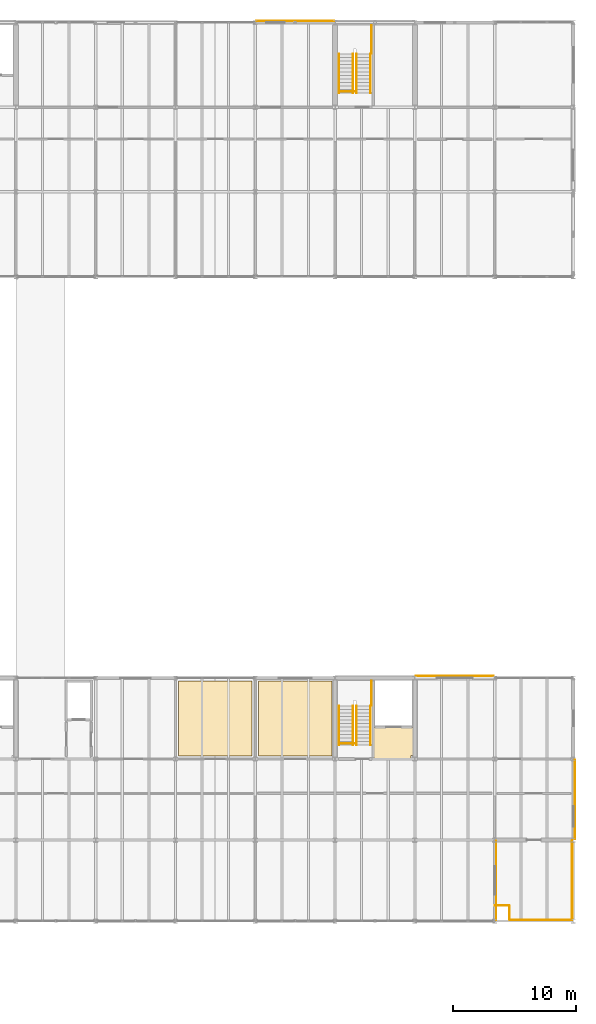
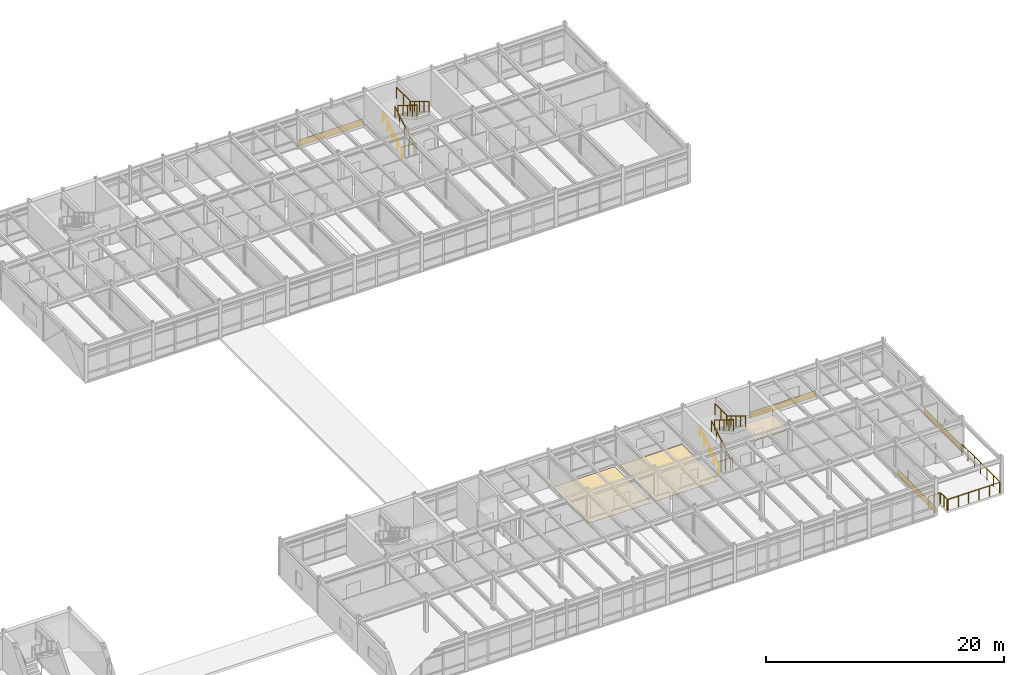
# One storey, part 49 of 49: 16 railings, 7 coverings.
"""IFC4 building model written with IfcOpenShell, lengths in metres."""

from ifc_helpers import new_model, si_unit, direction, frame, origin, origin_2d, place, context, subcontext, project, spatial, polyline, rectangle, circle, outline, extrude, material, layer, layer_set, type_object, element, save


model = new_model("IFC4")

# Units and contexts
model_context = context("Model", 3, precision=1e-05, world=origin(), true_north=direction((0.0, 1.0)))
body_context = subcontext(model_context, "Body", "Model", "MODEL_VIEW")
ifc_project = project(units=[si_unit("LENGTHUNIT", "METRE"), si_unit("AREAUNIT", "SQUARE_METRE"), si_unit("VOLUMEUNIT", "CUBIC_METRE"), si_unit("PLANEANGLEUNIT", "RADIAN"), si_unit("MASSUNIT", "GRAM", prefix="KILO")], contexts=[model_context])

# Site, building, storey
site_placement = place(None, origin())
site = spatial("IfcSite", under=ifc_project, at=site_placement, CompositionType="ELEMENT")
building_placement = place(site_placement, origin())
building = spatial("IfcBuilding", under=site, at=building_placement, Name="Trelmorton Wharf Fire Station", CompositionType="ELEMENT")
storey_placement = place(building_placement, frame((0.0, 0.0, 9.60009765625)))
storey = spatial("IfcBuildingStorey", under=building, at=storey_placement, Name="L02", CompositionType="ELEMENT", Elevation=9.60009765625)

# Coverings
ifc_material_1 = material(Name="Mineral fibre acoustic ceiling")
ifc_layer_1 = layer(ifc_material_1, 0.02001953125)
ifc_layer_set_1 = layer_set([ifc_layer_1], Name="Mineral fibre acoustic ceiling")
covering_type_1 = type_object("IfcCoveringType", Name="CV_CEIL_ACOU", PredefinedType="CEILING", material=ifc_layer_set_1)
covering_1_placement = place(storey_placement, frame((0.0, 0.0, 2.97998046875)))
element("IfcCovering", 1, at=covering_1_placement, inside=storey, type_object=covering_type_1, Name="CV-CLG-025", PredefinedType="CEILING", context=body_context, shape_type="SweptSolid", body=[
    extrude(outline(polyline([(146.159912109375, 21.0400390625), (146.159912109375, 23.56005859375), (149.4599609375, 23.56005859375), (149.4599609375, 21.300048828125), (149.199951171875, 21.300048828125), (149.199951171875, 21.0400390625), (146.159912109375, 21.0400390625)])), origin(), (0.0, 0.0, 1.0), 0.02001953125),
])
ifc_material_2 = material(Name="Signal-red ribbed aluminium cladding AW-6063", Category="aluminium")
ifc_layer_2 = layer(ifc_material_2, 0.034912109375)
ifc_layer_set_2 = layer_set([ifc_layer_2], Name="Signal-red ribbed aluminium cladding AW-6063")
covering_type_2 = type_object("IfcCoveringType", Name="CV_CLAD_RED", PredefinedType="CLADDING", material=ifc_layer_set_2)
covering_2_placement = place(storey_placement, frame((156.1298828125, 11.10009765625, 0.0400390625), z_axis=(0.0, 0.0, 1.0), x_axis=(0.0, -1.0, 0.0)))
element("IfcCovering", 2, at=covering_2_placement, inside=storey, type_object=covering_type_2, Name="CV-RED-0012", PredefinedType="CLADDING", context=body_context, shape_type="SweptSolid", body=[
    extrude(rectangle(XDim=6.469970703125, YDim=0.034912109375, at=origin_2d()), origin(), (0.0, 0.0, 1.0), 0.679931640625),
])
ifc_material_3 = material(Name="Architectural terracotta cladding", Category="masonry")
ifc_layer_3 = layer(ifc_material_3, 0.044921875)
ifc_layer_set_3 = layer_set([ifc_layer_3], Name="Architectural terracotta cladding")
covering_type_3 = type_object("IfcCoveringType", Name="CV_CLAD_TER", PredefinedType="CLADDING", material=ifc_layer_set_3)
covering_3_placement = place(storey_placement, frame((152.75, 27.764892578125, 0.02978515625), z_axis=(0.0, 0.0, 1.0), x_axis=(1.0, 0.0, 0.0)))
element("IfcCovering", 3, at=covering_3_placement, inside=storey, type_object=covering_type_3, Name="CV-TER-0013", PredefinedType="CLADDING", context=body_context, shape_type="SweptSolid", body=[
    extrude(rectangle(XDim=6.3701171875, YDim=0.044921875, at=origin_2d()), origin(), (0.0, 0.0, 1.0), 0.659912109375),
])
covering_4_placement = place(storey_placement, frame((162.534912109375, 17.699951171875, 0.02978515625), z_axis=(0.0, 0.0, 1.0), x_axis=(0.0, -1.0, 0.0)))
element("IfcCovering", 4, at=covering_4_placement, inside=storey, type_object=covering_type_3, Name="CV-TER-0014", PredefinedType="CLADDING", context=body_context, shape_type="SweptSolid", body=[
    extrude(rectangle(XDim=6.469970703125, YDim=0.044921875, at=origin_2d()), origin(), (0.0, 0.0, 1.0), 0.659912109375),
])
covering_5_placement = place(storey_placement, frame((139.75, 81.135009765625, 0.02978515625), z_axis=(0.0, 0.0, 1.0), x_axis=(1.0, 0.0, 0.0)))
element("IfcCovering", 5, at=covering_5_placement, inside=storey, type_object=covering_type_3, Name="CV-TER-0042", PredefinedType="CLADDING", context=body_context, shape_type="SweptSolid", body=[
    extrude(rectangle(XDim=6.3701171875, YDim=0.044921875, at=origin_2d()), origin(), (0.0, 0.0, 1.0), 0.659912109375),
])
ifc_material_4 = material(Name="Quarry tile wet-area flooring")
ifc_layer_4 = layer(ifc_material_4, 0.02001953125)
ifc_layer_set_4 = layer_set([ifc_layer_4], Name="Quarry tile wet-area flooring")
covering_type_4 = type_object("IfcCoveringType", Name="CV_FLOR_TILE", PredefinedType="FLOORING", material=ifc_layer_set_4)
covering_6_placement = place(storey_placement, origin())
element("IfcCovering", 6, at=covering_6_placement, inside=storey, type_object=covering_type_4, Name="CV-FLR-012", PredefinedType="FLOORING", context=body_context, shape_type="SweptSolid", body=[
    extrude(outline(polyline([(136.25, 21.25), (136.25, 27.35009765625), (130.25, 27.35009765625), (130.25, 21.25), (136.25, 21.25)])), origin(), (0.0, 0.0, 1.0), 0.02001953125),
])
covering_7_placement = place(storey_placement, origin())
element("IfcCovering", 7, at=covering_7_placement, inside=storey, type_object=covering_type_4, Name="CV-FLR-013", PredefinedType="FLOORING", context=body_context, shape_type="SweptSolid", body=[
    extrude(outline(polyline([(142.75, 21.25), (142.75, 27.35009765625), (136.75, 27.35009765625), (136.75, 21.25), (142.75, 21.25)])), origin(), (0.0, 0.0, 1.0), 0.02001953125),
])

# Railings
ifc_material_5 = material(Name="Signal-red architectural steel Grade 350", Category="steel")
railing_type_1 = type_object("IfcRailingType", Name="RL_BAL_RED", PredefinedType="BALUSTRADE", material=ifc_material_5)
railing_1_placement = place(storey_placement, frame((156.0400390625, 9.06005859375, 0.0)))
element("IfcRailing", 8, at=railing_1_placement, inside=storey, type_object=railing_type_1, Name="RL-DECK-L02-022", PredefinedType="BALUSTRADE", context=body_context, shape_type="SweptSolid", body=[
    extrude(circle(Radius=0.02392578125, at=origin_2d()), frame((0.0, 0.0, 1.09619140625), z_axis=(1.0, 0.0, 0.0), x_axis=(0.0, 1.0, 0.0)), (0.0, 0.0, 1.0), 1.139892578125),
    extrude(circle(Radius=0.02099609375, at=origin_2d()), origin(), (0.0, 0.0, 1.0), 1.072021484375),
    extrude(circle(Radius=0.02099609375, at=origin_2d()), frame((0.56982421875, 0.0, 0.0)), (0.0, 0.0, 1.0), 1.072021484375),
    extrude(circle(Radius=0.02099609375, at=origin_2d()), frame((1.139892578125, 0.0, 0.0)), (0.0, 0.0, 1.0), 1.072021484375),
])
railing_2_placement = place(storey_placement, frame((157.219970703125, 9.02001953125, 0.0)))
element("IfcRailing", 9, at=railing_2_placement, inside=storey, type_object=railing_type_1, Name="RL-DECK-L02-023", PredefinedType="BALUSTRADE", context=body_context, shape_type="SweptSolid", body=[
    extrude(circle(Radius=0.02392578125, at=origin_2d()), frame((0.0, 0.0, 1.09619140625), z_axis=(0.0, -1.0, 0.0), x_axis=(1.0, 0.0, 0.0)), (0.0, 0.0, 1.0), 1.10009765625),
    extrude(circle(Radius=0.02099609375, at=origin_2d()), origin(), (0.0, 0.0, 1.0), 1.072021484375),
    extrude(circle(Radius=0.02099609375, at=origin_2d()), frame((0.0, -0.550048828125, 0.0)), (0.0, 0.0, 1.0), 1.072021484375),
    extrude(circle(Radius=0.02099609375, at=origin_2d()), frame((0.0, -1.10009765625, 0.0)), (0.0, 0.0, 1.0), 1.072021484375),
])
railing_3_placement = place(storey_placement, frame((157.260009765625, 7.8798828125, 0.0)))
element("IfcRailing", 10, at=railing_3_placement, inside=storey, type_object=railing_type_1, Name="RL-DECK-L02-024", PredefinedType="BALUSTRADE", context=body_context, shape_type="SweptSolid", body=[
    extrude(circle(Radius=0.02392578125, at=origin_2d()), frame((0.0, 0.0, 1.09619140625), z_axis=(1.0, 0.0, 0.0), x_axis=(0.0, 1.0, 0.0)), (0.0, 0.0, 1.0), 5.02001953125),
    extrude(circle(Radius=0.02099609375, at=origin_2d()), origin(), (0.0, 0.0, 1.0), 1.072021484375),
    extrude(circle(Radius=0.02099609375, at=origin_2d()), frame((1.00390625, 0.0, 0.0)), (0.0, 0.0, 1.0), 1.072021484375),
    extrude(circle(Radius=0.02099609375, at=origin_2d()), frame((2.008056640625, 0.0, 0.0)), (0.0, 0.0, 1.0), 1.072021484375),
    extrude(circle(Radius=0.02099609375, at=origin_2d()), frame((3.011962890625, 0.0, 0.0)), (0.0, 0.0, 1.0), 1.072021484375),
    extrude(circle(Radius=0.02099609375, at=origin_2d()), frame((4.01611328125, 0.0, 0.0)), (0.0, 0.0, 1.0), 1.072021484375),
    extrude(circle(Radius=0.02099609375, at=origin_2d()), frame((5.02001953125, 0.0, 0.0)), (0.0, 0.0, 1.0), 1.072021484375),
])
railing_4_placement = place(storey_placement, frame((162.320068359375, 7.919921875, 0.0)))
element("IfcRailing", 11, at=railing_4_placement, inside=storey, type_object=railing_type_1, Name="RL-DECK-L02-025", PredefinedType="BALUSTRADE", context=body_context, shape_type="SweptSolid", body=[
    extrude(circle(Radius=0.02392578125, at=origin_2d()), frame((0.0, 0.0, 1.09619140625), z_axis=(0.0, 1.0, 0.0), x_axis=(-1.0, 0.0, 0.0)), (0.0, 0.0, 1.0), 6.440185546875),
    extrude(circle(Radius=0.02099609375, at=origin_2d()), origin(), (0.0, 0.0, 1.0), 1.072021484375),
    extrude(circle(Radius=0.02099609375, at=origin_2d()), frame((0.0, 1.0732421875, 0.0)), (0.0, 0.0, 1.0), 1.072021484375),
    extrude(circle(Radius=0.02099609375, at=origin_2d()), frame((0.0, 2.146728515625, 0.0)), (0.0, 0.0, 1.0), 1.072021484375),
    extrude(circle(Radius=0.02099609375, at=origin_2d()), frame((0.0, 3.22021484375, 0.0)), (0.0, 0.0, 1.0), 1.072021484375),
    extrude(circle(Radius=0.02099609375, at=origin_2d()), frame((0.0, 4.29345703125, 0.0)), (0.0, 0.0, 1.0), 1.072021484375),
    extrude(circle(Radius=0.02099609375, at=origin_2d()), frame((0.0, 5.36669921875, 0.0)), (0.0, 0.0, 1.0), 1.072021484375),
    extrude(circle(Radius=0.02099609375, at=origin_2d()), frame((0.0, 6.440185546875, 0.0)), (0.0, 0.0, 1.0), 1.072021484375),
])
ifc_material_6 = material(Name="Stainless steel 316 marine grade", Category="steel")
railing_type_2 = type_object("IfcRailingType", Name="RL_HAND_900", PredefinedType="HANDRAIL", material=ifc_material_6)
railing_5_placement = place(storey_placement, frame((143.31005859375, 22.139892578125, 0.0)))
element("IfcRailing", 12, at=railing_5_placement, inside=storey, type_object=railing_type_2, Name="RL-HR1-STR-C4-L02-15", PredefinedType="HANDRAIL", context=body_context, shape_type="SweptSolid", body=[
    extrude(circle(Radius=0.02099609375, at=origin_2d()), frame((0.0, 0.0, 0.87890625), z_axis=(0.0, 0.853235021851, 0.521526602856), x_axis=(-1.0, 0.0, 0.0)), (0.0, 0.0, 1.0), 3.739013671875),
    extrude(circle(Radius=0.02099609375, at=origin_2d()), origin(), (0.0, 0.0, 1.0), 0.85791015625),
    extrude(circle(Radius=0.02099609375, at=origin_2d()), frame((0.0, 0.797607421875, 0.487548828125)), (0.0, 0.0, 1.0), 0.85791015625),
    extrude(circle(Radius=0.02099609375, at=origin_2d()), frame((0.0, 1.59521484375, 0.97509765625)), (0.0, 0.0, 1.0), 0.85791015625),
    extrude(circle(Radius=0.02099609375, at=origin_2d()), frame((0.0, 2.392578125, 1.46240234375)), (0.0, 0.0, 1.0), 0.85791015625),
    extrude(circle(Radius=0.02099609375, at=origin_2d()), frame((0.0, 3.190185546875, 1.949951171875)), (0.0, 0.0, 1.0), 0.85791015625),
])
railing_6_placement = place(storey_placement, frame((143.31005859375, 75.239990234375, 0.0)))
element("IfcRailing", 13, at=railing_6_placement, inside=storey, type_object=railing_type_2, Name="RL-HR1-STR-C8-L02-39", PredefinedType="HANDRAIL", context=body_context, shape_type="SweptSolid", body=[
    extrude(circle(Radius=0.02099609375, at=origin_2d()), frame((0.0, 0.0, 0.87890625), z_axis=(0.0, 0.853217260254, 0.521555660313), x_axis=(-1.0, 0.0, 0.0)), (0.0, 0.0, 1.0), 3.73876953125),
    extrude(circle(Radius=0.02099609375, at=origin_2d()), origin(), (0.0, 0.0, 1.0), 0.85791015625),
    extrude(circle(Radius=0.02099609375, at=origin_2d()), frame((0.0, 0.79736328125, 0.487548828125)), (0.0, 0.0, 1.0), 0.85791015625),
    extrude(circle(Radius=0.02099609375, at=origin_2d()), frame((0.0, 1.594970703125, 0.97509765625)), (0.0, 0.0, 1.0), 0.85791015625),
    extrude(circle(Radius=0.02099609375, at=origin_2d()), frame((0.0, 2.392578125, 1.46240234375)), (0.0, 0.0, 1.0), 0.85791015625),
    extrude(circle(Radius=0.02099609375, at=origin_2d()), frame((0.0, 3.18994140625, 1.949951171875)), (0.0, 0.0, 1.0), 0.85791015625),
])
railing_type_3 = type_object("IfcRailingType", Name="RL_WELL_1100", PredefinedType="BALUSTRADE", material=ifc_material_6)
railing_7_placement = place(storey_placement, frame((143.360107421875, 22.260009765625, 0.0)))
element("IfcRailing", 14, at=railing_7_placement, inside=storey, type_object=railing_type_3, Name="RL-UPWELL-STR-C4-L01-14", PredefinedType="BALUSTRADE", context=body_context, shape_type="SweptSolid", body=[
    extrude(circle(Radius=0.02392578125, at=origin_2d()), frame((0.0, 0.0, 1.09619140625), z_axis=(1.0, 0.0, 0.0), x_axis=(0.0, 1.0, 0.0)), (0.0, 0.0, 1.0), 1.33984375),
    extrude(circle(Radius=0.02099609375, at=origin_2d()), origin(), (0.0, 0.0, 1.0), 1.072021484375),
    extrude(circle(Radius=0.02099609375, at=origin_2d()), frame((0.669921875, 0.0, 0.0)), (0.0, 0.0, 1.0), 1.072021484375),
    extrude(circle(Radius=0.02099609375, at=origin_2d()), frame((1.33984375, 0.0, 0.0)), (0.0, 0.0, 1.0), 1.072021484375),
])
railing_8_placement = place(storey_placement, frame((145.955078125, 27.35498046875, 1.949951171875)))
element("IfcRailing", 15, at=railing_8_placement, inside=storey, type_object=railing_type_3, Name="RL-GW-OUT1-STR-C4-L02-15", PredefinedType="BALUSTRADE", context=body_context, shape_type="SweptSolid", body=[
    extrude(circle(Radius=0.02392578125, at=origin_2d()), frame((0.0, 0.0, 1.09619140625), z_axis=(0.0, -1.0, 0.0), x_axis=(1.0, 0.0, 0.0)), (0.0, 0.0, 1.0), 1.98486328125),
    extrude(circle(Radius=0.02099609375, at=origin_2d()), origin(), (0.0, 0.0, 1.0), 1.072021484375),
    extrude(circle(Radius=0.02099609375, at=origin_2d()), frame((0.0, -0.992431640625, 0.0)), (0.0, 0.0, 1.0), 1.072021484375),
    extrude(circle(Radius=0.02099609375, at=origin_2d()), frame((0.0, -1.98486328125, 0.0)), (0.0, 0.0, 1.0), 1.072021484375),
])
railing_9_placement = place(storey_placement, frame((145.889892578125, 25.330078125, 1.949951171875)))
element("IfcRailing", 16, at=railing_9_placement, inside=storey, type_object=railing_type_3, Name="RL-GW-OUT2-STR-C4-L02-15", PredefinedType="BALUSTRADE", context=body_context, shape_type="SweptSolid", body=[
    extrude(circle(Radius=0.02392578125, at=origin_2d()), frame((0.0, 0.0, 1.09619140625), z_axis=(0.0, -0.853235021851, 0.521526602856), x_axis=(1.0, 0.0, 0.0)), (0.0, 0.0, 1.0), 3.739013671875),
    extrude(circle(Radius=0.02099609375, at=origin_2d()), origin(), (0.0, 0.0, 1.0), 1.072021484375),
    extrude(circle(Radius=0.02099609375, at=origin_2d()), frame((0.0, -0.797607421875, 0.487548828125)), (0.0, 0.0, 1.0), 1.072021484375),
    extrude(circle(Radius=0.02099609375, at=origin_2d()), frame((0.0, -1.59521484375, 0.97509765625)), (0.0, 0.0, 1.0), 1.072021484375),
    extrude(circle(Radius=0.02099609375, at=origin_2d()), frame((0.0, -2.392578125, 1.46240234375)), (0.0, 0.0, 1.0), 1.072021484375),
    extrude(circle(Radius=0.02099609375, at=origin_2d()), frame((0.0, -3.190185546875, 1.949951171875)), (0.0, 0.0, 1.0), 1.072021484375),
])
railing_10_placement = place(storey_placement, frame((144.449951171875, 22.139892578125, 0.0)))
element("IfcRailing", 17, at=railing_10_placement, inside=storey, type_object=railing_type_3, Name="RL-GW-IN1-STR-C4-L02-15", PredefinedType="BALUSTRADE", context=body_context, shape_type="SweptSolid", body=[
    extrude(circle(Radius=0.02392578125, at=origin_2d()), frame((0.0, 0.0, 1.09619140625), z_axis=(0.0, 0.853235021851, 0.521526602856), x_axis=(-1.0, 0.0, 0.0)), (0.0, 0.0, 1.0), 3.739013671875),
    extrude(circle(Radius=0.02099609375, at=origin_2d()), origin(), (0.0, 0.0, 1.0), 1.072021484375),
    extrude(circle(Radius=0.02099609375, at=origin_2d()), frame((0.0, 0.797607421875, 0.487548828125)), (0.0, 0.0, 1.0), 1.072021484375),
    extrude(circle(Radius=0.02099609375, at=origin_2d()), frame((0.0, 1.59521484375, 0.97509765625)), (0.0, 0.0, 1.0), 1.072021484375),
    extrude(circle(Radius=0.02099609375, at=origin_2d()), frame((0.0, 2.392578125, 1.46240234375)), (0.0, 0.0, 1.0), 1.072021484375),
    extrude(circle(Radius=0.02099609375, at=origin_2d()), frame((0.0, 3.190185546875, 1.949951171875)), (0.0, 0.0, 1.0), 1.072021484375),
])
railing_11_placement = place(storey_placement, frame((144.75, 25.330078125, 1.949951171875)))
element("IfcRailing", 18, at=railing_11_placement, inside=storey, type_object=railing_type_3, Name="RL-GW-IN2-STR-C4-L02-15", PredefinedType="BALUSTRADE", context=body_context, shape_type="SweptSolid", body=[
    extrude(circle(Radius=0.02392578125, at=origin_2d()), frame((0.0, 0.0, 1.09619140625), z_axis=(0.0, -0.853235021851, 0.521526602856), x_axis=(1.0, 0.0, 0.0)), (0.0, 0.0, 1.0), 3.739013671875),
    extrude(circle(Radius=0.02099609375, at=origin_2d()), origin(), (0.0, 0.0, 1.0), 1.072021484375),
    extrude(circle(Radius=0.02099609375, at=origin_2d()), frame((0.0, -0.797607421875, 0.487548828125)), (0.0, 0.0, 1.0), 1.072021484375),
    extrude(circle(Radius=0.02099609375, at=origin_2d()), frame((0.0, -1.59521484375, 0.97509765625)), (0.0, 0.0, 1.0), 1.072021484375),
    extrude(circle(Radius=0.02099609375, at=origin_2d()), frame((0.0, -2.392578125, 1.46240234375)), (0.0, 0.0, 1.0), 1.072021484375),
    extrude(circle(Radius=0.02099609375, at=origin_2d()), frame((0.0, -3.190185546875, 1.949951171875)), (0.0, 0.0, 1.0), 1.072021484375),
])
railing_12_placement = place(storey_placement, frame((143.360107421875, 75.360107421875, 0.0)))
element("IfcRailing", 19, at=railing_12_placement, inside=storey, type_object=railing_type_3, Name="RL-UPWELL-STR-C8-L01-38", PredefinedType="BALUSTRADE", context=body_context, shape_type="SweptSolid", body=[
    extrude(circle(Radius=0.02392578125, at=origin_2d()), frame((0.0, 0.0, 1.09619140625), z_axis=(1.0, 0.0, 0.0), x_axis=(0.0, 1.0, 0.0)), (0.0, 0.0, 1.0), 1.33984375),
    extrude(circle(Radius=0.02099609375, at=origin_2d()), origin(), (0.0, 0.0, 1.0), 1.072021484375),
    extrude(circle(Radius=0.02099609375, at=origin_2d()), frame((0.669921875, 0.0, 0.0)), (0.0, 0.0, 1.0), 1.072021484375),
    extrude(circle(Radius=0.02099609375, at=origin_2d()), frame((1.33984375, 0.0, 0.0)), (0.0, 0.0, 1.0), 1.072021484375),
])
railing_13_placement = place(storey_placement, frame((145.955078125, 80.7548828125, 1.949951171875)))
element("IfcRailing", 20, at=railing_13_placement, inside=storey, type_object=railing_type_3, Name="RL-GW-OUT1-STR-C8-L02-39", PredefinedType="BALUSTRADE", context=body_context, shape_type="SweptSolid", body=[
    extrude(circle(Radius=0.02392578125, at=origin_2d()), frame((0.0, 0.0, 1.09619140625), z_axis=(0.0, -1.0, 0.0), x_axis=(1.0, 0.0, 0.0)), (0.0, 0.0, 1.0), 2.284912109375),
    extrude(circle(Radius=0.02099609375, at=origin_2d()), origin(), (0.0, 0.0, 1.0), 1.072021484375),
    extrude(circle(Radius=0.02099609375, at=origin_2d()), frame((0.0, -1.142578125, 0.0)), (0.0, 0.0, 1.0), 1.072021484375),
    extrude(circle(Radius=0.02099609375, at=origin_2d()), frame((0.0, -2.284912109375, 0.0)), (0.0, 0.0, 1.0), 1.072021484375),
])
railing_14_placement = place(storey_placement, frame((145.889892578125, 78.429931640625, 1.949951171875)))
element("IfcRailing", 21, at=railing_14_placement, inside=storey, type_object=railing_type_3, Name="RL-GW-OUT2-STR-C8-L02-39", PredefinedType="BALUSTRADE", context=body_context, shape_type="SweptSolid", body=[
    extrude(circle(Radius=0.02392578125, at=origin_2d()), frame((0.0, 0.0, 1.09619140625), z_axis=(0.0, -0.853217260254, 0.521555660313), x_axis=(1.0, 0.0, 0.0)), (0.0, 0.0, 1.0), 3.73876953125),
    extrude(circle(Radius=0.02099609375, at=origin_2d()), origin(), (0.0, 0.0, 1.0), 1.072021484375),
    extrude(circle(Radius=0.02099609375, at=origin_2d()), frame((0.0, -0.79736328125, 0.487548828125)), (0.0, 0.0, 1.0), 1.072021484375),
    extrude(circle(Radius=0.02099609375, at=origin_2d()), frame((0.0, -1.594970703125, 0.97509765625)), (0.0, 0.0, 1.0), 1.072021484375),
    extrude(circle(Radius=0.02099609375, at=origin_2d()), frame((0.0, -2.392578125, 1.46240234375)), (0.0, 0.0, 1.0), 1.072021484375),
    extrude(circle(Radius=0.02099609375, at=origin_2d()), frame((0.0, -3.18994140625, 1.949951171875)), (0.0, 0.0, 1.0), 1.072021484375),
])
railing_15_placement = place(storey_placement, frame((144.449951171875, 75.239990234375, 0.0)))
element("IfcRailing", 22, at=railing_15_placement, inside=storey, type_object=railing_type_3, Name="RL-GW-IN1-STR-C8-L02-39", PredefinedType="BALUSTRADE", context=body_context, shape_type="SweptSolid", body=[
    extrude(circle(Radius=0.02392578125, at=origin_2d()), frame((0.0, 0.0, 1.09619140625), z_axis=(0.0, 0.853217260254, 0.521555660313), x_axis=(-1.0, 0.0, 0.0)), (0.0, 0.0, 1.0), 3.73876953125),
    extrude(circle(Radius=0.02099609375, at=origin_2d()), origin(), (0.0, 0.0, 1.0), 1.072021484375),
    extrude(circle(Radius=0.02099609375, at=origin_2d()), frame((0.0, 0.79736328125, 0.487548828125)), (0.0, 0.0, 1.0), 1.072021484375),
    extrude(circle(Radius=0.02099609375, at=origin_2d()), frame((0.0, 1.594970703125, 0.97509765625)), (0.0, 0.0, 1.0), 1.072021484375),
    extrude(circle(Radius=0.02099609375, at=origin_2d()), frame((0.0, 2.392578125, 1.46240234375)), (0.0, 0.0, 1.0), 1.072021484375),
    extrude(circle(Radius=0.02099609375, at=origin_2d()), frame((0.0, 3.18994140625, 1.949951171875)), (0.0, 0.0, 1.0), 1.072021484375),
])
railing_16_placement = place(storey_placement, frame((144.75, 78.429931640625, 1.949951171875)))
element("IfcRailing", 23, at=railing_16_placement, inside=storey, type_object=railing_type_3, Name="RL-GW-IN2-STR-C8-L02-39", PredefinedType="BALUSTRADE", context=body_context, shape_type="SweptSolid", body=[
    extrude(circle(Radius=0.02392578125, at=origin_2d()), frame((0.0, 0.0, 1.09619140625), z_axis=(0.0, -0.853217260254, 0.521555660313), x_axis=(1.0, 0.0, 0.0)), (0.0, 0.0, 1.0), 3.73876953125),
    extrude(circle(Radius=0.02099609375, at=origin_2d()), origin(), (0.0, 0.0, 1.0), 1.072021484375),
    extrude(circle(Radius=0.02099609375, at=origin_2d()), frame((0.0, -0.79736328125, 0.487548828125)), (0.0, 0.0, 1.0), 1.072021484375),
    extrude(circle(Radius=0.02099609375, at=origin_2d()), frame((0.0, -1.594970703125, 0.97509765625)), (0.0, 0.0, 1.0), 1.072021484375),
    extrude(circle(Radius=0.02099609375, at=origin_2d()), frame((0.0, -2.392578125, 1.46240234375)), (0.0, 0.0, 1.0), 1.072021484375),
    extrude(circle(Radius=0.02099609375, at=origin_2d()), frame((0.0, -3.18994140625, 1.949951171875)), (0.0, 0.0, 1.0), 1.072021484375),
])

save(model, "model.ifc")
